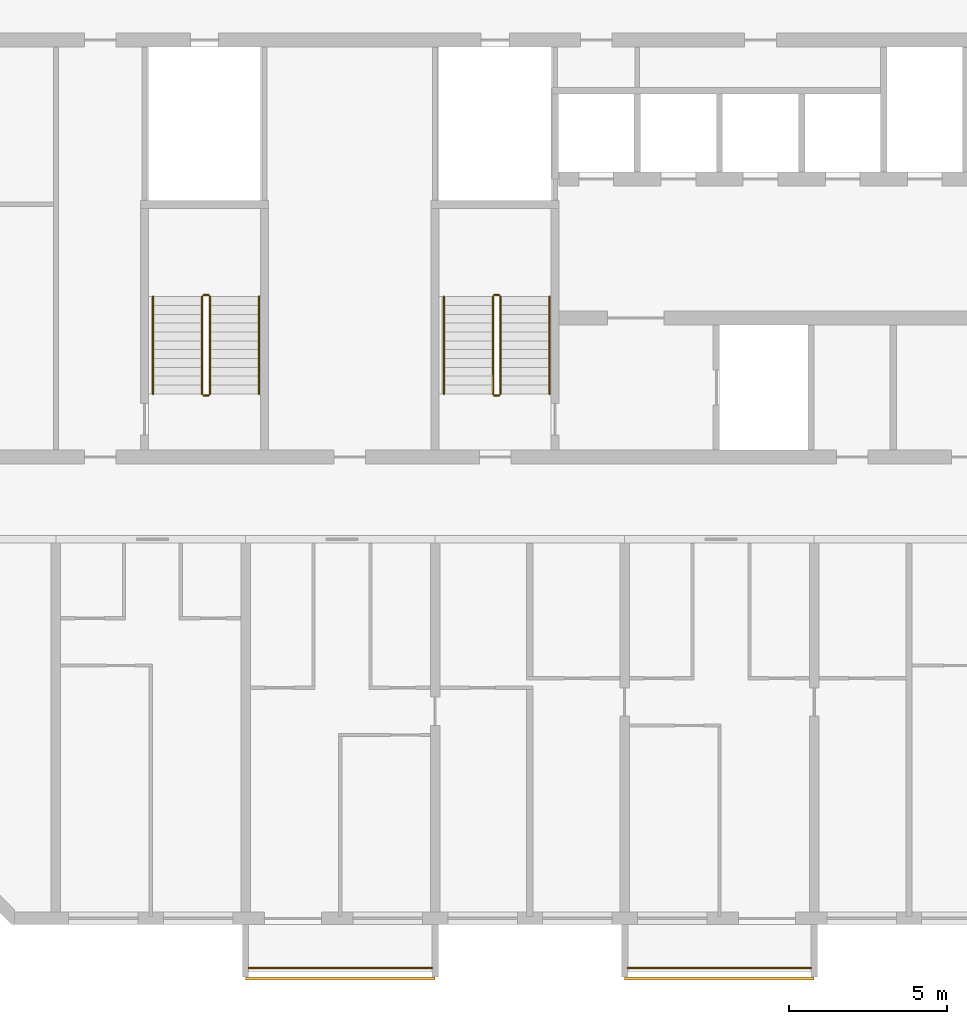
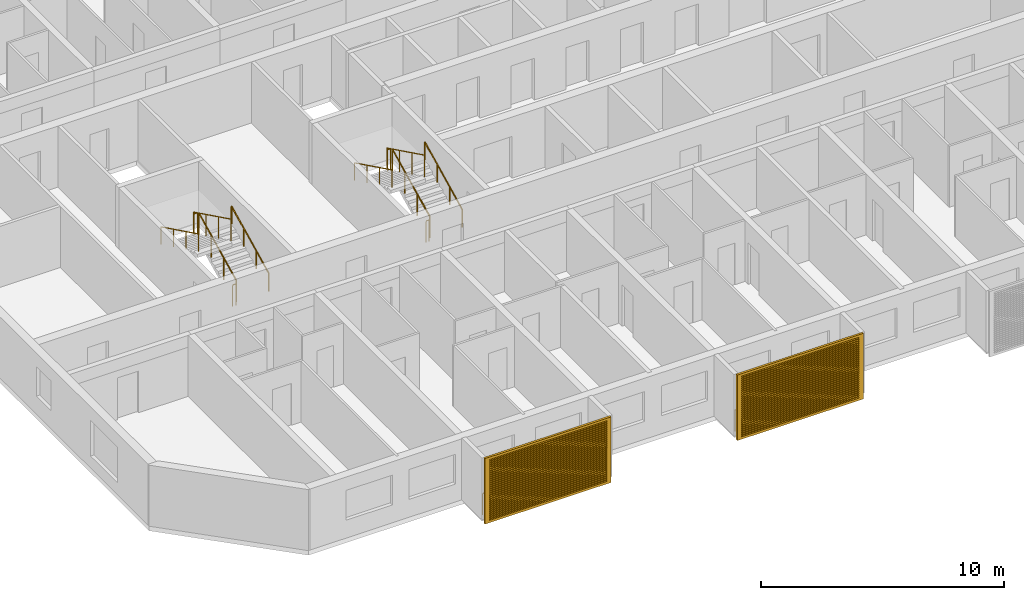
# One storey, part 14 of 32: 14 railings, 2 shading devices.
"""IFC4 building model written with IfcOpenShell, lengths in metres."""

from ifc_helpers import new_model, si_unit, direction, frame, origin, origin_2d, place, context, subcontext, project, spatial, polyline, circle, outline, extrude, source, transform, mapped, material, material_profile, profile_set, type_object, element, save


model = new_model("IFC4")

# Units and contexts
model_context = context("Model", 3, precision=1e-05, world=origin(), true_north=direction((0.0, 1.0)))
body_context = subcontext(model_context, "Body", "Model", "MODEL_VIEW")
ifc_project = project(units=[si_unit("LENGTHUNIT", "METRE"), si_unit("AREAUNIT", "SQUARE_METRE"), si_unit("VOLUMEUNIT", "CUBIC_METRE"), si_unit("PLANEANGLEUNIT", "RADIAN"), si_unit("MASSUNIT", "GRAM", prefix="KILO")], contexts=[model_context])

# Site, building, storey
site_placement = place(None, origin())
site = spatial("IfcSite", under=ifc_project, at=site_placement, CompositionType="ELEMENT")
building_placement = place(site_placement, origin())
building = spatial("IfcBuilding", under=site, at=building_placement, Name="Poui Terraces", CompositionType="ELEMENT")
storey_placement = place(building_placement, frame((0.0, 0.0, 152.10009765625)))
storey = spatial("IfcBuildingStorey", under=building, at=storey_placement, Name="L42", CompositionType="ELEMENT", Elevation=152.10009765625)

# Railings
ifc_material_1 = material(Name="Painted steel fretwork", Category="steel")
railing_type_1 = type_object("IfcRailingType", Name="BALCONY GUARD 1100", PredefinedType="GUARDRAIL", material=ifc_material_1)
for number, where, name in (
    (1, (24.10009765625, -1.570068359375, 0.0), "BALCONY GUARD"),
    (2, (36.10009765625, -1.570068359375, 0.0), "BALCONY GUARD"),
):
    element("IfcRailing", number, at=place(storey_placement, frame(where)), inside=storey, type_object=railing_type_1, Name=name, PredefinedType="GUARDRAIL", context=body_context, shape_type="SweptSolid", body=[
        extrude(circle(Radius=0.02392578125, at=origin_2d()), frame((0.0, 0.0, 1.076171875), z_axis=(1.0, 0.0, 0.0), x_axis=(0.0, 1.0, 0.0)), (0.0, 0.0, 1.0), 5.7998046875),
        extrude(circle(Radius=0.02099609375, at=origin_2d()), origin(), (0.0, 0.0, 1.0), 1.052001953125),
        extrude(circle(Radius=0.02099609375, at=origin_2d()), frame((0.966552734375, 0.0, 0.0)), (0.0, 0.0, 1.0), 1.052001953125),
        extrude(circle(Radius=0.02099609375, at=origin_2d()), frame((1.933349609375, 0.0, 0.0)), (0.0, 0.0, 1.0), 1.052001953125),
        extrude(circle(Radius=0.02099609375, at=origin_2d()), frame((2.89990234375, 0.0, 0.0)), (0.0, 0.0, 1.0), 1.052001953125),
        extrude(circle(Radius=0.02099609375, at=origin_2d()), frame((3.866455078125, 0.0, 0.0)), (0.0, 0.0, 1.0), 1.052001953125),
        extrude(circle(Radius=0.02099609375, at=origin_2d()), frame((4.833251953125, 0.0, 0.0)), (0.0, 0.0, 1.0), 1.052001953125),
        extrude(circle(Radius=0.02099609375, at=origin_2d()), frame((5.7998046875, 0.0, 0.0)), (0.0, 0.0, 1.0), 1.052001953125),
    ])
ifc_material_2 = material(Name="Galvanised steel balustrade", Category="steel")
railing_type_2 = type_object("IfcRailingType", Name="STAIR GUARD 1100", PredefinedType="GUARDRAIL", material=ifc_material_2)
railing_1_placement = place(storey_placement, frame((32.074951171875, 16.60009765625, 0.137451171875)))
element("IfcRailing", 3, at=railing_1_placement, inside=storey, type_object=railing_type_2, Name="L42 ST-CW stair guard 1", PredefinedType="GUARDRAIL", context=body_context, shape_type="SweptSolid", body=[
    extrude(circle(Radius=0.02392578125, at=origin_2d()), frame((0.0, 0.0, 1.076171875), z_axis=(0.0, 0.897606190399, 0.440798283751), x_axis=(-1.0, 0.0, 0.0)), (0.0, 0.0, 1.0), 3.43115234375),
    extrude(circle(Radius=0.02099609375, at=origin_2d()), origin(), (0.0, 0.0, 1.0), 1.052001953125),
    extrude(circle(Radius=0.02099609375, at=origin_2d()), frame((0.0, 1.026611328125, 0.504150390625)), (0.0, 0.0, 1.0), 1.052001953125),
    extrude(circle(Radius=0.02099609375, at=origin_2d()), frame((0.0, 2.05322265625, 1.00830078125)), (0.0, 0.0, 1.0), 1.052001953125),
    extrude(circle(Radius=0.02099609375, at=origin_2d()), frame((0.0, 3.079833984375, 1.512451171875)), (0.0, 0.0, 1.0), 1.052001953125),
])
railing_2_placement = place(storey_placement, frame((32.02490234375, 19.72998046875, 1.64990234375)))
element("IfcRailing", 4, at=railing_2_placement, inside=storey, type_object=railing_type_2, Name="L42 ST-CW stair guard 2", PredefinedType="GUARDRAIL", context=body_context, shape_type="SweptSolid", body=[
    extrude(circle(Radius=0.02392578125, at=origin_2d()), frame((0.0, 0.0, 1.076171875), z_axis=(-1.0, 0.0, 0.0), x_axis=(0.0, -1.0, 0.0)), (0.0, 0.0, 1.0), 0.14990234375),
    extrude(circle(Radius=0.02099609375, at=origin_2d()), origin(), (0.0, 0.0, 1.0), 1.052001953125),
    extrude(circle(Radius=0.02099609375, at=origin_2d()), frame((-0.14990234375, 0.0, 0.0)), (0.0, 0.0, 1.0), 1.052001953125),
])
railing_3_placement = place(storey_placement, frame((31.824951171875, 19.679931640625, 1.787353515625)))
element("IfcRailing", 5, at=railing_3_placement, inside=storey, type_object=railing_type_2, Name="L42 ST-CW stair guard 3", PredefinedType="GUARDRAIL", context=body_context, shape_type="SweptSolid", body=[
    extrude(circle(Radius=0.02392578125, at=origin_2d()), frame((0.0, 0.0, 1.076171875), z_axis=(0.0, -0.897606190399, 0.440798283751), x_axis=(1.0, 0.0, 0.0)), (0.0, 0.0, 1.0), 3.43115234375),
    extrude(circle(Radius=0.02099609375, at=origin_2d()), origin(), (0.0, 0.0, 1.0), 1.052001953125),
    extrude(circle(Radius=0.02099609375, at=origin_2d()), frame((0.0, -1.026611328125, 0.504150390625)), (0.0, 0.0, 1.0), 1.052001953125),
    extrude(circle(Radius=0.02099609375, at=origin_2d()), frame((0.0, -2.05322265625, 1.00830078125)), (0.0, 0.0, 1.0), 1.052001953125),
    extrude(circle(Radius=0.02099609375, at=origin_2d()), frame((0.0, -3.079833984375, 1.512451171875)), (0.0, 0.0, 1.0), 1.052001953125),
])
railing_4_placement = place(storey_placement, frame((32.02490234375, 16.550048828125, 0.0)))
element("IfcRailing", 6, at=railing_4_placement, inside=storey, type_object=railing_type_2, Name="L42 ST-CW stair guard 4", PredefinedType="GUARDRAIL", context=body_context, shape_type="SweptSolid", body=[
    extrude(circle(Radius=0.02392578125, at=origin_2d()), frame((0.0, 0.0, 1.076171875), z_axis=(-1.0, 0.0, 0.0), x_axis=(0.0, -1.0, 0.0)), (0.0, 0.0, 1.0), 0.14990234375),
    extrude(circle(Radius=0.02099609375, at=origin_2d()), origin(), (0.0, 0.0, 1.0), 1.052001953125),
    extrude(circle(Radius=0.02099609375, at=origin_2d()), frame((-0.14990234375, 0.0, 0.0)), (0.0, 0.0, 1.0), 1.052001953125),
])
railing_5_placement = place(storey_placement, frame((22.875, 16.60009765625, 0.137451171875)))
element("IfcRailing", 7, at=railing_5_placement, inside=storey, type_object=railing_type_2, Name="L42 ST-W stair guard 1", PredefinedType="GUARDRAIL", context=body_context, shape_type="SweptSolid", body=[
    extrude(circle(Radius=0.02392578125, at=origin_2d()), frame((0.0, 0.0, 1.076171875), z_axis=(0.0, 0.897606190399, 0.440798283751), x_axis=(-1.0, 0.0, 0.0)), (0.0, 0.0, 1.0), 3.43115234375),
    extrude(circle(Radius=0.02099609375, at=origin_2d()), origin(), (0.0, 0.0, 1.0), 1.052001953125),
    extrude(circle(Radius=0.02099609375, at=origin_2d()), frame((0.0, 1.026611328125, 0.504150390625)), (0.0, 0.0, 1.0), 1.052001953125),
    extrude(circle(Radius=0.02099609375, at=origin_2d()), frame((0.0, 2.05322265625, 1.00830078125)), (0.0, 0.0, 1.0), 1.052001953125),
    extrude(circle(Radius=0.02099609375, at=origin_2d()), frame((0.0, 3.079833984375, 1.512451171875)), (0.0, 0.0, 1.0), 1.052001953125),
])
railing_6_placement = place(storey_placement, frame((22.824951171875, 19.72998046875, 1.64990234375)))
element("IfcRailing", 8, at=railing_6_placement, inside=storey, type_object=railing_type_2, Name="L42 ST-W stair guard 2", PredefinedType="GUARDRAIL", context=body_context, shape_type="SweptSolid", body=[
    extrude(circle(Radius=0.02392578125, at=origin_2d()), frame((0.0, 0.0, 1.076171875), z_axis=(-1.0, 0.0, 0.0), x_axis=(0.0, -1.0, 0.0)), (0.0, 0.0, 1.0), 0.14990234375),
    extrude(circle(Radius=0.02099609375, at=origin_2d()), origin(), (0.0, 0.0, 1.0), 1.052001953125),
    extrude(circle(Radius=0.02099609375, at=origin_2d()), frame((-0.14990234375, 0.0, 0.0)), (0.0, 0.0, 1.0), 1.052001953125),
])
railing_7_placement = place(storey_placement, frame((22.625, 19.679931640625, 1.787353515625)))
element("IfcRailing", 9, at=railing_7_placement, inside=storey, type_object=railing_type_2, Name="L42 ST-W stair guard 3", PredefinedType="GUARDRAIL", context=body_context, shape_type="SweptSolid", body=[
    extrude(circle(Radius=0.02392578125, at=origin_2d()), frame((0.0, 0.0, 1.076171875), z_axis=(0.0, -0.897606190399, 0.440798283751), x_axis=(1.0, 0.0, 0.0)), (0.0, 0.0, 1.0), 3.43115234375),
    extrude(circle(Radius=0.02099609375, at=origin_2d()), origin(), (0.0, 0.0, 1.0), 1.052001953125),
    extrude(circle(Radius=0.02099609375, at=origin_2d()), frame((0.0, -1.026611328125, 0.504150390625)), (0.0, 0.0, 1.0), 1.052001953125),
    extrude(circle(Radius=0.02099609375, at=origin_2d()), frame((0.0, -2.05322265625, 1.00830078125)), (0.0, 0.0, 1.0), 1.052001953125),
    extrude(circle(Radius=0.02099609375, at=origin_2d()), frame((0.0, -3.079833984375, 1.512451171875)), (0.0, 0.0, 1.0), 1.052001953125),
])
railing_8_placement = place(storey_placement, frame((22.824951171875, 16.550048828125, 0.0)))
element("IfcRailing", 10, at=railing_8_placement, inside=storey, type_object=railing_type_2, Name="L42 ST-W stair guard 4", PredefinedType="GUARDRAIL", context=body_context, shape_type="SweptSolid", body=[
    extrude(circle(Radius=0.02392578125, at=origin_2d()), frame((0.0, 0.0, 1.076171875), z_axis=(-1.0, 0.0, 0.0), x_axis=(0.0, -1.0, 0.0)), (0.0, 0.0, 1.0), 0.14990234375),
    extrude(circle(Radius=0.02099609375, at=origin_2d()), origin(), (0.0, 0.0, 1.0), 1.052001953125),
    extrude(circle(Radius=0.02099609375, at=origin_2d()), frame((-0.14990234375, 0.0, 0.0)), (0.0, 0.0, 1.0), 1.052001953125),
])
ifc_material_3 = material(Name="Stainless steel handrail", Category="steel")
railing_type_3 = type_object("IfcRailingType", Name="STAIR HANDRAIL 900", PredefinedType="HANDRAIL", material=ifc_material_3)
railing_9_placement = place(storey_placement, frame((33.625, 16.60009765625, 0.137451171875)))
element("IfcRailing", 11, at=railing_9_placement, inside=storey, type_object=railing_type_3, Name="L42 ST-CW stair handrail 1", PredefinedType="HANDRAIL", context=body_context, shape_type="SweptSolid", body=[
    extrude(circle(Radius=0.02392578125, at=origin_2d()), frame((0.0, 0.0, 0.8759765625), z_axis=(0.0, 0.897606190399, 0.440798283751), x_axis=(-1.0, 0.0, 0.0)), (0.0, 0.0, 1.0), 3.43115234375),
    extrude(circle(Radius=0.02099609375, at=origin_2d()), origin(), (0.0, 0.0, 1.0), 0.851806640625),
    extrude(circle(Radius=0.02099609375, at=origin_2d()), frame((0.0, 1.026611328125, 0.504150390625)), (0.0, 0.0, 1.0), 0.851806640625),
    extrude(circle(Radius=0.02099609375, at=origin_2d()), frame((0.0, 2.05322265625, 1.00830078125)), (0.0, 0.0, 1.0), 0.851806640625),
    extrude(circle(Radius=0.02099609375, at=origin_2d()), frame((0.0, 3.079833984375, 1.512451171875)), (0.0, 0.0, 1.0), 0.851806640625),
])
railing_10_placement = place(storey_placement, frame((30.27490234375, 19.679931640625, 1.787353515625)))
element("IfcRailing", 12, at=railing_10_placement, inside=storey, type_object=railing_type_3, Name="L42 ST-CW stair handrail 2", PredefinedType="HANDRAIL", context=body_context, shape_type="SweptSolid", body=[
    extrude(circle(Radius=0.02392578125, at=origin_2d()), frame((0.0, 0.0, 0.8759765625), z_axis=(0.0, -0.897606190399, 0.440798283751), x_axis=(1.0, 0.0, 0.0)), (0.0, 0.0, 1.0), 3.43115234375),
    extrude(circle(Radius=0.02099609375, at=origin_2d()), origin(), (0.0, 0.0, 1.0), 0.851806640625),
    extrude(circle(Radius=0.02099609375, at=origin_2d()), frame((0.0, -1.026611328125, 0.504150390625)), (0.0, 0.0, 1.0), 0.851806640625),
    extrude(circle(Radius=0.02099609375, at=origin_2d()), frame((0.0, -2.05322265625, 1.00830078125)), (0.0, 0.0, 1.0), 0.851806640625),
    extrude(circle(Radius=0.02099609375, at=origin_2d()), frame((0.0, -3.079833984375, 1.512451171875)), (0.0, 0.0, 1.0), 0.851806640625),
])
railing_11_placement = place(storey_placement, frame((24.425048828125, 16.60009765625, 0.137451171875)))
element("IfcRailing", 13, at=railing_11_placement, inside=storey, type_object=railing_type_3, Name="L42 ST-W stair handrail 1", PredefinedType="HANDRAIL", context=body_context, shape_type="SweptSolid", body=[
    extrude(circle(Radius=0.02392578125, at=origin_2d()), frame((0.0, 0.0, 0.8759765625), z_axis=(0.0, 0.897606190399, 0.440798283751), x_axis=(-1.0, 0.0, 0.0)), (0.0, 0.0, 1.0), 3.43115234375),
    extrude(circle(Radius=0.02099609375, at=origin_2d()), origin(), (0.0, 0.0, 1.0), 0.851806640625),
    extrude(circle(Radius=0.02099609375, at=origin_2d()), frame((0.0, 1.026611328125, 0.504150390625)), (0.0, 0.0, 1.0), 0.851806640625),
    extrude(circle(Radius=0.02099609375, at=origin_2d()), frame((0.0, 2.05322265625, 1.00830078125)), (0.0, 0.0, 1.0), 0.851806640625),
    extrude(circle(Radius=0.02099609375, at=origin_2d()), frame((0.0, 3.079833984375, 1.512451171875)), (0.0, 0.0, 1.0), 0.851806640625),
])
railing_12_placement = place(storey_placement, frame((21.074951171875, 19.679931640625, 1.787353515625)))
element("IfcRailing", 14, at=railing_12_placement, inside=storey, type_object=railing_type_3, Name="L42 ST-W stair handrail 2", PredefinedType="HANDRAIL", context=body_context, shape_type="SweptSolid", body=[
    extrude(circle(Radius=0.02392578125, at=origin_2d()), frame((0.0, 0.0, 0.8759765625), z_axis=(0.0, -0.897606190399, 0.440798283751), x_axis=(1.0, 0.0, 0.0)), (0.0, 0.0, 1.0), 3.43115234375),
    extrude(circle(Radius=0.02099609375, at=origin_2d()), origin(), (0.0, 0.0, 1.0), 0.851806640625),
    extrude(circle(Radius=0.02099609375, at=origin_2d()), frame((0.0, -1.026611328125, 0.504150390625)), (0.0, 0.0, 1.0), 0.851806640625),
    extrude(circle(Radius=0.02099609375, at=origin_2d()), frame((0.0, -2.05322265625, 1.00830078125)), (0.0, 0.0, 1.0), 0.851806640625),
    extrude(circle(Radius=0.02099609375, at=origin_2d()), frame((0.0, -3.079833984375, 1.512451171875)), (0.0, 0.0, 1.0), 0.851806640625),
])

# Shading devices
ifc_material_4 = material(Name="Aluminium louvre", Category="aluminium")
ifc_material_profile = material_profile(ifc_material_4, outline(polyline([(-3.0, -1.64990234375), (3.0, -1.64990234375), (3.0, 1.64990234375), (-3.0, 1.64990234375), (-3.0, -1.64990234375)]), holes=[polyline([(-2.800048828125, -1.530029296875), (2.800048828125, -1.530029296875), (2.800048828125, -1.469970703125), (-2.800048828125, -1.469970703125), (-2.800048828125, -1.530029296875)]), polyline([(-2.800048828125, -1.429931640625), (2.800048828125, -1.429931640625), (2.800048828125, -1.3701171875), (-2.800048828125, -1.3701171875), (-2.800048828125, -1.429931640625)]), polyline([(-2.800048828125, -1.330078125), (2.800048828125, -1.330078125), (2.800048828125, -1.27001953125), (-2.800048828125, -1.27001953125), (-2.800048828125, -1.330078125)]), polyline([(-2.800048828125, -1.22998046875), (2.800048828125, -1.22998046875), (2.800048828125, -1.169921875), (-2.800048828125, -1.169921875), (-2.800048828125, -1.22998046875)]), polyline([(-2.800048828125, -1.1298828125), (2.800048828125, -1.1298828125), (2.800048828125, -1.070068359375), (-2.800048828125, -1.070068359375), (-2.800048828125, -1.1298828125)]), polyline([(-2.800048828125, -1.030029296875), (2.800048828125, -1.030029296875), (2.800048828125, -0.969970703125), (-2.800048828125, -0.969970703125), (-2.800048828125, -1.030029296875)]), polyline([(-2.800048828125, -0.929931640625), (2.800048828125, -0.929931640625), (2.800048828125, -0.8701171875), (-2.800048828125, -0.8701171875), (-2.800048828125, -0.929931640625)]), polyline([(-2.800048828125, -0.830078125), (2.800048828125, -0.830078125), (2.800048828125, -0.77001953125), (-2.800048828125, -0.77001953125), (-2.800048828125, -0.830078125)]), polyline([(-2.800048828125, -0.72998046875), (2.800048828125, -0.72998046875), (2.800048828125, -0.669921875), (-2.800048828125, -0.669921875), (-2.800048828125, -0.72998046875)]), polyline([(-2.800048828125, -0.6298828125), (2.800048828125, -0.6298828125), (2.800048828125, -0.570068359375), (-2.800048828125, -0.570068359375), (-2.800048828125, -0.6298828125)]), polyline([(-2.800048828125, -0.530029296875), (2.800048828125, -0.530029296875), (2.800048828125, -0.469970703125), (-2.800048828125, -0.469970703125), (-2.800048828125, -0.530029296875)]), polyline([(-2.800048828125, -0.429931640625), (2.800048828125, -0.429931640625), (2.800048828125, -0.3701171875), (-2.800048828125, -0.3701171875), (-2.800048828125, -0.429931640625)]), polyline([(-2.800048828125, -0.330078125), (2.800048828125, -0.330078125), (2.800048828125, -0.27001953125), (-2.800048828125, -0.27001953125), (-2.800048828125, -0.330078125)]), polyline([(-2.800048828125, -0.22998046875), (2.800048828125, -0.22998046875), (2.800048828125, -0.169921875), (-2.800048828125, -0.169921875), (-2.800048828125, -0.22998046875)]), polyline([(-2.800048828125, -0.1298828125), (2.800048828125, -0.1298828125), (2.800048828125, -0.070068359375), (-2.800048828125, -0.070068359375), (-2.800048828125, -0.1298828125)]), polyline([(-2.800048828125, -0.030029296875), (2.800048828125, -0.030029296875), (2.800048828125, 0.030029296875), (-2.800048828125, 0.030029296875), (-2.800048828125, -0.030029296875)]), polyline([(-2.800048828125, 0.070068359375), (2.800048828125, 0.070068359375), (2.800048828125, 0.1298828125), (-2.800048828125, 0.1298828125), (-2.800048828125, 0.070068359375)]), polyline([(-2.800048828125, 0.169921875), (2.800048828125, 0.169921875), (2.800048828125, 0.22998046875), (-2.800048828125, 0.22998046875), (-2.800048828125, 0.169921875)]), polyline([(-2.800048828125, 0.27001953125), (2.800048828125, 0.27001953125), (2.800048828125, 0.330078125), (-2.800048828125, 0.330078125), (-2.800048828125, 0.27001953125)]), polyline([(-2.800048828125, 0.3701171875), (2.800048828125, 0.3701171875), (2.800048828125, 0.429931640625), (-2.800048828125, 0.429931640625), (-2.800048828125, 0.3701171875)]), polyline([(-2.800048828125, 0.469970703125), (2.800048828125, 0.469970703125), (2.800048828125, 0.530029296875), (-2.800048828125, 0.530029296875), (-2.800048828125, 0.469970703125)]), polyline([(-2.800048828125, 0.570068359375), (2.800048828125, 0.570068359375), (2.800048828125, 0.6298828125), (-2.800048828125, 0.6298828125), (-2.800048828125, 0.570068359375)]), polyline([(-2.800048828125, 0.669921875), (2.800048828125, 0.669921875), (2.800048828125, 0.72998046875), (-2.800048828125, 0.72998046875), (-2.800048828125, 0.669921875)]), polyline([(-2.800048828125, 0.77001953125), (2.800048828125, 0.77001953125), (2.800048828125, 0.830078125), (-2.800048828125, 0.830078125), (-2.800048828125, 0.77001953125)]), polyline([(-2.800048828125, 0.8701171875), (2.800048828125, 0.8701171875), (2.800048828125, 0.929931640625), (-2.800048828125, 0.929931640625), (-2.800048828125, 0.8701171875)]), polyline([(-2.800048828125, 0.969970703125), (2.800048828125, 0.969970703125), (2.800048828125, 1.030029296875), (-2.800048828125, 1.030029296875), (-2.800048828125, 0.969970703125)]), polyline([(-2.800048828125, 1.070068359375), (2.800048828125, 1.070068359375), (2.800048828125, 1.1298828125), (-2.800048828125, 1.1298828125), (-2.800048828125, 1.070068359375)]), polyline([(-2.800048828125, 1.169921875), (2.800048828125, 1.169921875), (2.800048828125, 1.22998046875), (-2.800048828125, 1.22998046875), (-2.800048828125, 1.169921875)]), polyline([(-2.800048828125, 1.27001953125), (2.800048828125, 1.27001953125), (2.800048828125, 1.330078125), (-2.800048828125, 1.330078125), (-2.800048828125, 1.27001953125)]), polyline([(-2.800048828125, 1.3701171875), (2.800048828125, 1.3701171875), (2.800048828125, 1.429931640625), (-2.800048828125, 1.429931640625), (-2.800048828125, 1.3701171875)]), polyline([(-2.800048828125, 1.469970703125), (2.800048828125, 1.469970703125), (2.800048828125, 1.530029296875), (-2.800048828125, 1.530029296875), (-2.800048828125, 1.469970703125)])]), Name="JALOUSIE LOUVRE SHUTTER 6000X3300")
ifc_profile_set = profile_set([ifc_material_profile], Name="Aluminium louvre")
shading_device_type = type_object("IfcShadingDeviceType", Name="JALOUSIE LOUVRE SHUTTER 6000X3300", PredefinedType="JALOUSIE", material=ifc_profile_set)
shared_shape = source(origin(), body_context, "Body", "SweptSolid", [
    extrude(outline(polyline([(-3.0, -1.64990234375), (3.0, -1.64990234375), (3.0, 1.64990234375), (-3.0, 1.64990234375), (-3.0, -1.64990234375)]), holes=[polyline([(-2.800048828125, -1.530029296875), (2.800048828125, -1.530029296875), (2.800048828125, -1.469970703125), (-2.800048828125, -1.469970703125), (-2.800048828125, -1.530029296875)]), polyline([(-2.800048828125, -1.429931640625), (2.800048828125, -1.429931640625), (2.800048828125, -1.3701171875), (-2.800048828125, -1.3701171875), (-2.800048828125, -1.429931640625)]), polyline([(-2.800048828125, -1.330078125), (2.800048828125, -1.330078125), (2.800048828125, -1.27001953125), (-2.800048828125, -1.27001953125), (-2.800048828125, -1.330078125)]), polyline([(-2.800048828125, -1.22998046875), (2.800048828125, -1.22998046875), (2.800048828125, -1.169921875), (-2.800048828125, -1.169921875), (-2.800048828125, -1.22998046875)]), polyline([(-2.800048828125, -1.1298828125), (2.800048828125, -1.1298828125), (2.800048828125, -1.070068359375), (-2.800048828125, -1.070068359375), (-2.800048828125, -1.1298828125)]), polyline([(-2.800048828125, -1.030029296875), (2.800048828125, -1.030029296875), (2.800048828125, -0.969970703125), (-2.800048828125, -0.969970703125), (-2.800048828125, -1.030029296875)]), polyline([(-2.800048828125, -0.929931640625), (2.800048828125, -0.929931640625), (2.800048828125, -0.8701171875), (-2.800048828125, -0.8701171875), (-2.800048828125, -0.929931640625)]), polyline([(-2.800048828125, -0.830078125), (2.800048828125, -0.830078125), (2.800048828125, -0.77001953125), (-2.800048828125, -0.77001953125), (-2.800048828125, -0.830078125)]), polyline([(-2.800048828125, -0.72998046875), (2.800048828125, -0.72998046875), (2.800048828125, -0.669921875), (-2.800048828125, -0.669921875), (-2.800048828125, -0.72998046875)]), polyline([(-2.800048828125, -0.6298828125), (2.800048828125, -0.6298828125), (2.800048828125, -0.570068359375), (-2.800048828125, -0.570068359375), (-2.800048828125, -0.6298828125)]), polyline([(-2.800048828125, -0.530029296875), (2.800048828125, -0.530029296875), (2.800048828125, -0.469970703125), (-2.800048828125, -0.469970703125), (-2.800048828125, -0.530029296875)]), polyline([(-2.800048828125, -0.429931640625), (2.800048828125, -0.429931640625), (2.800048828125, -0.3701171875), (-2.800048828125, -0.3701171875), (-2.800048828125, -0.429931640625)]), polyline([(-2.800048828125, -0.330078125), (2.800048828125, -0.330078125), (2.800048828125, -0.27001953125), (-2.800048828125, -0.27001953125), (-2.800048828125, -0.330078125)]), polyline([(-2.800048828125, -0.22998046875), (2.800048828125, -0.22998046875), (2.800048828125, -0.169921875), (-2.800048828125, -0.169921875), (-2.800048828125, -0.22998046875)]), polyline([(-2.800048828125, -0.1298828125), (2.800048828125, -0.1298828125), (2.800048828125, -0.070068359375), (-2.800048828125, -0.070068359375), (-2.800048828125, -0.1298828125)]), polyline([(-2.800048828125, -0.030029296875), (2.800048828125, -0.030029296875), (2.800048828125, 0.030029296875), (-2.800048828125, 0.030029296875), (-2.800048828125, -0.030029296875)]), polyline([(-2.800048828125, 0.070068359375), (2.800048828125, 0.070068359375), (2.800048828125, 0.1298828125), (-2.800048828125, 0.1298828125), (-2.800048828125, 0.070068359375)]), polyline([(-2.800048828125, 0.169921875), (2.800048828125, 0.169921875), (2.800048828125, 0.22998046875), (-2.800048828125, 0.22998046875), (-2.800048828125, 0.169921875)]), polyline([(-2.800048828125, 0.27001953125), (2.800048828125, 0.27001953125), (2.800048828125, 0.330078125), (-2.800048828125, 0.330078125), (-2.800048828125, 0.27001953125)]), polyline([(-2.800048828125, 0.3701171875), (2.800048828125, 0.3701171875), (2.800048828125, 0.429931640625), (-2.800048828125, 0.429931640625), (-2.800048828125, 0.3701171875)]), polyline([(-2.800048828125, 0.469970703125), (2.800048828125, 0.469970703125), (2.800048828125, 0.530029296875), (-2.800048828125, 0.530029296875), (-2.800048828125, 0.469970703125)]), polyline([(-2.800048828125, 0.570068359375), (2.800048828125, 0.570068359375), (2.800048828125, 0.6298828125), (-2.800048828125, 0.6298828125), (-2.800048828125, 0.570068359375)]), polyline([(-2.800048828125, 0.669921875), (2.800048828125, 0.669921875), (2.800048828125, 0.72998046875), (-2.800048828125, 0.72998046875), (-2.800048828125, 0.669921875)]), polyline([(-2.800048828125, 0.77001953125), (2.800048828125, 0.77001953125), (2.800048828125, 0.830078125), (-2.800048828125, 0.830078125), (-2.800048828125, 0.77001953125)]), polyline([(-2.800048828125, 0.8701171875), (2.800048828125, 0.8701171875), (2.800048828125, 0.929931640625), (-2.800048828125, 0.929931640625), (-2.800048828125, 0.8701171875)]), polyline([(-2.800048828125, 0.969970703125), (2.800048828125, 0.969970703125), (2.800048828125, 1.030029296875), (-2.800048828125, 1.030029296875), (-2.800048828125, 0.969970703125)]), polyline([(-2.800048828125, 1.070068359375), (2.800048828125, 1.070068359375), (2.800048828125, 1.1298828125), (-2.800048828125, 1.1298828125), (-2.800048828125, 1.070068359375)]), polyline([(-2.800048828125, 1.169921875), (2.800048828125, 1.169921875), (2.800048828125, 1.22998046875), (-2.800048828125, 1.22998046875), (-2.800048828125, 1.169921875)]), polyline([(-2.800048828125, 1.27001953125), (2.800048828125, 1.27001953125), (2.800048828125, 1.330078125), (-2.800048828125, 1.330078125), (-2.800048828125, 1.27001953125)]), polyline([(-2.800048828125, 1.3701171875), (2.800048828125, 1.3701171875), (2.800048828125, 1.429931640625), (-2.800048828125, 1.429931640625), (-2.800048828125, 1.3701171875)]), polyline([(-2.800048828125, 1.469970703125), (2.800048828125, 1.469970703125), (2.800048828125, 1.530029296875), (-2.800048828125, 1.530029296875), (-2.800048828125, 1.469970703125)])]), origin(), (0.0, 0.0, 1.0), 0.099853515625),
])
for number, where, z_axis, x_axis, name in (
    (15, (27.0, -1.85009765625, 1.449951171875), (0.0, -1.0, 0.0), (1.0, 0.0, 0.0), "JALOUSIE LOUVRE SHUTTER"),
    (16, (39.0, -1.85009765625, 1.449951171875), (0.0, -1.0, 0.0), (1.0, 0.0, 0.0), "JALOUSIE LOUVRE SHUTTER"),
):
    element("IfcShadingDevice", number, at=place(storey_placement, frame(where, z_axis=z_axis, x_axis=x_axis)), inside=storey, type_object=shading_device_type, Name=name, PredefinedType="JALOUSIE", context=body_context, shape_type="MappedRepresentation", body=[
        mapped(shared_shape, transform((0.0, 0.0, 0.0))),
    ])

save(model, "model.ifc")
